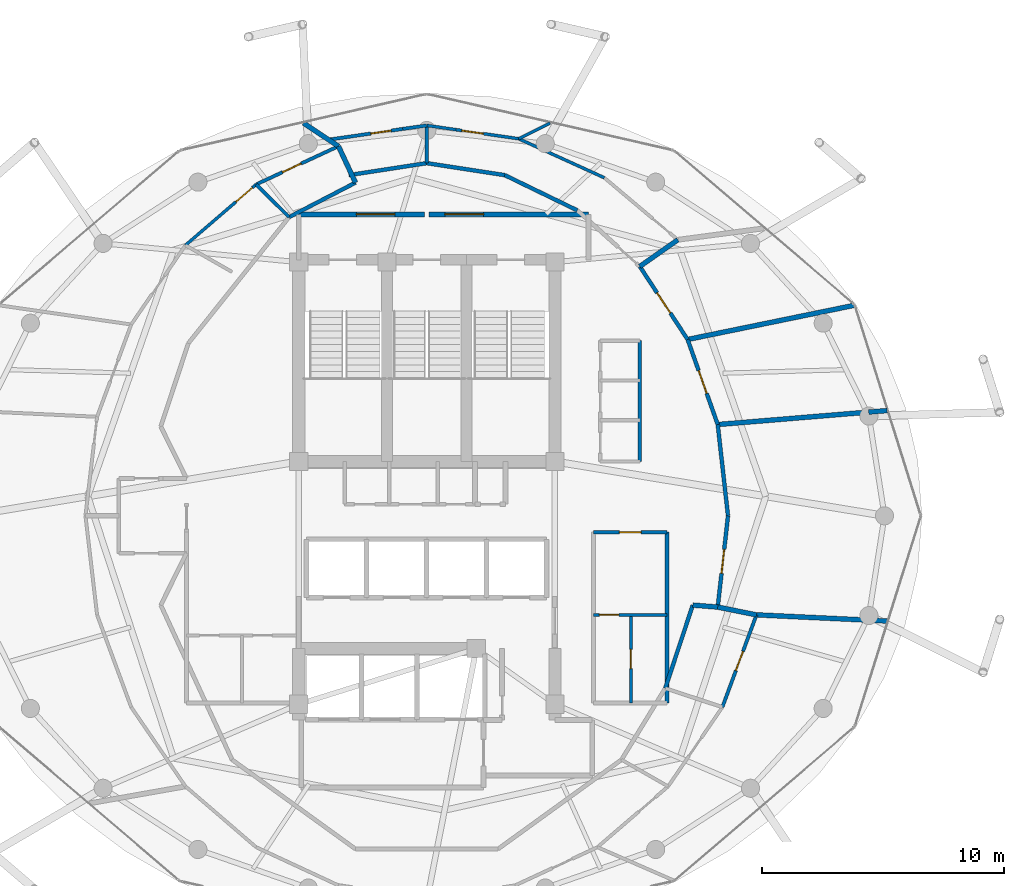
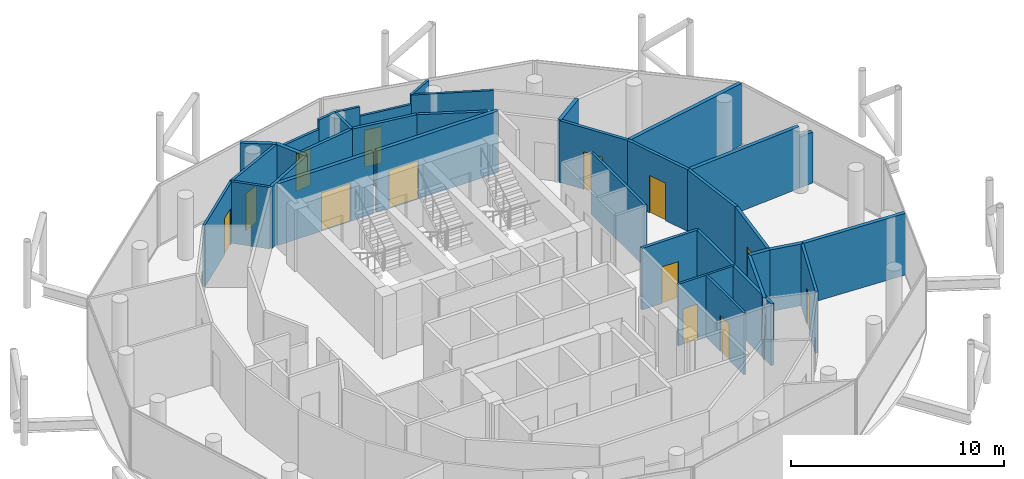
# One storey, part 22 of 24: 36 walls, 13 doors, 13 openings.
"""IFC4 building model written with IfcOpenShell, lengths in metres."""

from ifc_helpers import new_model, si_unit, direction, frame, frame_2d, origin, place, context, subcontext, project, spatial, rectangle, extrude, material, layer, layer_set, type_object, element, fill, save


model = new_model("IFC4")

# Units and contexts
model_context = context("Model", 3, precision=1e-05, world=origin(), true_north=direction((0.0, 1.0)))
body_context = subcontext(model_context, "Body", "Model", "MODEL_VIEW")
ifc_project = project(units=[si_unit("LENGTHUNIT", "METRE"), si_unit("AREAUNIT", "SQUARE_METRE"), si_unit("VOLUMEUNIT", "CUBIC_METRE"), si_unit("PLANEANGLEUNIT", "RADIAN"), si_unit("MASSUNIT", "GRAM", prefix="KILO")], contexts=[model_context])

# Site, building, storey
site_placement = place(None, origin())
site = spatial("IfcSite", under=ifc_project, at=site_placement, CompositionType="ELEMENT")
building_placement = place(site_placement, origin())
building = spatial("IfcBuilding", under=site, at=building_placement, Name="Nuhasar Tower", CompositionType="ELEMENT")
storey_placement = place(building_placement, frame((0.0, 0.0, 259.39990234375)))
storey = spatial("IfcBuildingStorey", under=building, at=storey_placement, Name="L64", CompositionType="ELEMENT", Elevation=259.39990234375)

# Wall
ifc_material_1 = material(Name="Gypsum Board", Category="gypsum")
ifc_layer_1 = layer(ifc_material_1, 0.159912109375)
ifc_layer_set_1 = layer_set([ifc_layer_1], Name="Gypsum Board")
wall_type_1 = type_object("IfcWallType", Name="WL-CORR-160", PredefinedType="PARTITIONING", material=ifc_layer_set_1)
wall_1_placement = place(storey_placement, frame((48.949951171875, 19.050048828125, 0.0), z_axis=(0.0, 0.0, 1.0), x_axis=(0.0, 1.0, 0.0)))
element("IfcWall", 1, at=wall_1_placement, inside=storey, type_object=wall_type_1, Name="L64 Interior Partition RECL-B2-E", PredefinedType="PARTITIONING", context=body_context, shape_type="SweptSolid", body=[
    extrude(rectangle(XDim=7.070068359375, YDim=0.159912109375, at=frame_2d((3.53515625, 0.0))), origin(), (0.0, 0.0, 1.0), 3.5400390625),
])

# Wall, opening, door
wall_2_placement = place(storey_placement, frame((48.949951171875, 26.1201171875, 0.0), z_axis=(0.0, 0.0, 1.0), x_axis=(-1.0, 0.0, 0.0)))
wall_2 = element("IfcWall", 2, at=wall_2_placement, inside=storey, type_object=wall_type_1, Name="L64 Interior Partition RECL-B2-N", PredefinedType="PARTITIONING", context=body_context, shape_type="SweptSolid", body=[
    extrude(rectangle(XDim=3.050048828125, YDim=0.159912109375, at=frame_2d((1.52490234375, 0.0))), origin(), (0.0, 0.0, 1.0), 3.5400390625),
])
opening_1_placement = place(wall_2_placement, frame((1.074951171875, 0.0, 0.0)))
opening_1 = element("IfcOpeningElement", 3, at=opening_1_placement, cuts=wall_2, Name="Opening DR-01", PredefinedType="OPENING", context=body_context, shape_type="SweptSolid", body=[
    extrude(rectangle(XDim=0.89990234375, YDim=2.10009765625, at=frame_2d((0.449951171875, 1.050048828125))), frame((0.0, 0.08984375, 0.0), z_axis=(0.0, -1.0, 0.0), x_axis=(1.0, 0.0, 0.0)), (0.0, 0.0, 1.0), 0.179931640625),
])
ifc_material_2 = material(Name="Timber Oak", Category="wood")
door_type_1 = type_object("IfcDoorType", Name="DR-ROOM-900", OperationType="NOTDEFINED", PredefinedType="DOOR", material=ifc_material_2)
door_1_placement = place(opening_1_placement, origin())
door_1 = element("IfcDoor", 4, at=door_1_placement, inside=storey, type_object=door_type_1, Name="L64 Telemetry Closet Door", OperationType="SINGLE_SWING_LEFT", OverallHeight=2.10009765625, OverallWidth=0.89990234375, PredefinedType="DOOR", context=body_context, shape_type="SweptSolid", body=[
    extrude(rectangle(XDim=0.89990234375, YDim=2.10009765625, at=frame_2d((0.449951171875, 1.050048828125))), frame((0.0, 0.02490234375, 0.0), z_axis=(0.0, -1.0, 0.0), x_axis=(1.0, 0.0, 0.0)), (0.0, 0.0, 1.0), 0.050048828125),
])
fill(opening_1, door_1)

wall_3_placement = place(storey_placement, frame((51.469970703125, 26.800048828125, 0.0), z_axis=(0.0, 0.0, 1.0), x_axis=(-0.111770206893, -0.993734079546, 0.0)))
wall_3 = element("IfcWall", 5, at=wall_3_placement, inside=storey, type_object=wall_type_1, Name="L64 Interior Partition CORR-46", PredefinedType="PARTITIONING", context=body_context, shape_type="SweptSolid", body=[
    extrude(rectangle(XDim=3.802978515625, YDim=0.159912109375, at=frame_2d((1.9013671875, 0.0))), origin(), (0.0, 0.0, 1.0), 3.5400390625),
])
opening_2_placement = place(wall_3_placement, frame((1.40087890625, 0.0, 0.0)))
opening_2 = element("IfcOpeningElement", 6, at=opening_2_placement, cuts=wall_3, Name="Opening DU-02", PredefinedType="OPENING", context=body_context, shape_type="SweptSolid", body=[
    extrude(rectangle(XDim=1.0, YDim=2.14990234375, at=frame_2d((0.5, 1.074951171875))), frame((0.0, 0.08984375, 0.0), z_axis=(0.0, -1.0, 0.0), x_axis=(1.0, 0.0, 0.0)), (0.0, 0.0, 1.0), 0.179931640625),
])
door_type_2 = type_object("IfcDoorType", Name="DR-FLAT-FD60-1000", OperationType="NOTDEFINED", PredefinedType="DOOR", material=ifc_material_2)
door_2_placement = place(opening_2_placement, origin())
door_2 = element("IfcDoor", 7, at=door_2_placement, inside=storey, type_object=door_type_2, Name="L64 Crown Art Gallery Boutique 1 Entrance Door", OperationType="SINGLE_SWING_RIGHT", OverallHeight=2.14990234375, OverallWidth=1.0, PredefinedType="DOOR", context=body_context, shape_type="SweptSolid", body=[
    extrude(rectangle(XDim=1.0, YDim=2.14990234375, at=frame_2d((0.5, 1.074951171875))), frame((0.0, 0.02490234375, 0.0), z_axis=(0.0, -1.0, 0.0), x_axis=(1.0, 0.0, 0.0)), (0.0, 0.0, 1.0), 0.050048828125),
])
fill(opening_2, door_2)

# Wall
wall_4_placement = place(storey_placement, frame((51.469970703125, 26.800048828125, 0.0), z_axis=(0.0, 0.0, 1.0), x_axis=(-0.111770206893, 0.993734079546, 0.0)))
element("IfcWall", 8, at=wall_4_placement, inside=storey, type_object=wall_type_1, Name="L64 Interior Partition CORR-00", PredefinedType="PARTITIONING", context=body_context, shape_type="SweptSolid", body=[
    extrude(rectangle(XDim=3.802978515625, YDim=0.159912109375, at=frame_2d((1.9013671875, 0.0))), origin(), (0.0, 0.0, 1.0), 3.5400390625),
])

# Wall, opening, door
wall_5_placement = place(storey_placement, frame((49.799072265625, 34.10009765625, 0.0), z_axis=(0.0, 0.0, 1.0), x_axis=(0.333568819216, -0.942725751662, 0.0)))
wall_5 = element("IfcWall", 9, at=wall_5_placement, inside=storey, type_object=wall_type_1, Name="L64 Interior Partition CORR-02", PredefinedType="PARTITIONING", context=body_context, shape_type="SweptSolid", body=[
    extrude(rectangle(XDim=3.73486328125, YDim=0.159912109375, at=frame_2d((1.867431640625, 0.0))), origin(), (0.0, 0.0, 1.0), 3.5400390625),
])
opening_3_placement = place(wall_5_placement, frame((1.366943359375, 0.0, 0.0)))
opening_3 = element("IfcOpeningElement", 10, at=opening_3_placement, cuts=wall_5, Name="Opening DU-02", PredefinedType="OPENING", context=body_context, shape_type="SweptSolid", body=[
    extrude(rectangle(XDim=1.0, YDim=2.14990234375, at=frame_2d((0.5, 1.074951171875))), frame((0.0, 0.08984375, 0.0), z_axis=(0.0, -1.0, 0.0), x_axis=(1.0, 0.0, 0.0)), (0.0, 0.0, 1.0), 0.179931640625),
])
door_3_placement = place(opening_3_placement, origin())
door_3 = element("IfcDoor", 11, at=door_3_placement, inside=storey, type_object=door_type_2, Name="L64 Collector Wine Vault Store Entrance Door", OperationType="SINGLE_SWING_RIGHT", OverallHeight=2.14990234375, OverallWidth=1.0, PredefinedType="DOOR", context=body_context, shape_type="SweptSolid", body=[
    extrude(rectangle(XDim=1.0, YDim=2.14990234375, at=frame_2d((0.5, 1.074951171875))), frame((0.0, 0.02490234375, 0.0), z_axis=(0.0, -1.0, 0.0), x_axis=(1.0, 0.0, 0.0)), (0.0, 0.0, 1.0), 0.050048828125),
])
fill(opening_3, door_3)

wall_6_placement = place(storey_placement, frame((47.818115234375, 37.1240234375, 0.0), z_axis=(0.0, 0.0, 1.0), x_axis=(0.547980633713, -0.836491019124, 0.0)))
wall_6 = element("IfcWall", 12, at=wall_6_placement, inside=storey, type_object=wall_type_1, Name="L64 Interior Partition CORR-04", PredefinedType="PARTITIONING", context=body_context, shape_type="SweptSolid", body=[
    extrude(rectangle(XDim=3.614990234375, YDim=0.159912109375, at=frame_2d((1.8076171875, 0.0))), origin(), (0.0, 0.0, 1.0), 3.5400390625),
])
opening_4_placement = place(wall_6_placement, frame((1.30810546875, 0.0, 0.0)))
opening_4 = element("IfcOpeningElement", 13, at=opening_4_placement, cuts=wall_6, Name="Opening DU-02", PredefinedType="OPENING", context=body_context, shape_type="SweptSolid", body=[
    extrude(rectangle(XDim=1.0, YDim=2.14990234375, at=frame_2d((0.5, 1.074951171875))), frame((0.0, 0.08984375, 0.0), z_axis=(0.0, -1.0, 0.0), x_axis=(1.0, 0.0, 0.0)), (0.0, 0.0, 1.0), 0.179931640625),
])
door_4_placement = place(opening_4_placement, origin())
door_4 = element("IfcDoor", 14, at=door_4_placement, inside=storey, type_object=door_type_2, Name="L64 Crown Sculpture Showroom 2 Entrance Door", OperationType="SINGLE_SWING_LEFT", OverallHeight=2.14990234375, OverallWidth=1.0, PredefinedType="DOOR", context=body_context, shape_type="SweptSolid", body=[
    extrude(rectangle(XDim=1.0, YDim=2.14990234375, at=frame_2d((0.5, 1.074951171875))), frame((0.0, 0.02490234375, 0.0), z_axis=(0.0, -1.0, 0.0), x_axis=(1.0, 0.0, 0.0)), (0.0, 0.0, 1.0), 0.050048828125),
])
fill(opening_4, door_4)

# Walls
wall_7_placement = place(storey_placement, frame((45.235107421875, 39.444091796875, 0.0), z_axis=(0.0, 0.0, 1.0), x_axis=(-0.899751550897, 0.436402505329, 0.0)))
element("IfcWall", 15, at=wall_7_placement, inside=storey, type_object=wall_type_1, Name="L64 Interior Partition CORR-08", PredefinedType="PARTITIONING", context=body_context, shape_type="SweptSolid", body=[
    extrude(rectangle(XDim=3.34326171875, YDim=0.159912109375, at=frame_2d((1.671630859375, 0.0))), origin(), (0.0, 0.0, 1.0), 3.5400390625),
])
for number, where, z_axis, x_axis, name in (
    (16, (42.22705078125, 40.903076171875, 0.0), (0.0, 0.0, 1.0), (-0.988355267662, 0.152163940815, 0.0), "L64 Interior Partition CORR-10"),
    (17, (39.0, 41.39990234375, 0.0), (0.0, 0.0, 1.0), (-0.988355267662, -0.152163940815, 0.0), "L64 Interior Partition CORR-12"),
):
    element("IfcWall", number, at=place(storey_placement, frame(where, z_axis=z_axis, x_axis=x_axis)), inside=storey, type_object=wall_type_1, Name=name, PredefinedType="PARTITIONING", context=body_context, shape_type="SweptSolid", body=[
        extrude(rectangle(XDim=3.26513671875, YDim=0.159912109375, at=frame_2d((1.632568359375, 0.0))), origin(), (0.0, 0.0, 1.0), 3.5400390625),
    ])
wall_8_placement = place(storey_placement, frame((36.049072265625, 40.593017578125, 0.0), z_axis=(0.0, 0.0, 1.0), x_axis=(-0.887674575788, -0.460471331898, 0.0)))
element("IfcWall", 18, at=wall_8_placement, inside=storey, type_object=wall_type_1, Name="L64 Interior Partition UWEST-CORE-N1-14", PredefinedType="PARTITIONING", context=body_context, shape_type="SweptSolid", body=[
    extrude(rectangle(XDim=3.096923828125, YDim=0.159912109375, at=frame_2d((1.54833984375, 0.0))), origin(), (0.0, 0.0, 1.0), 3.5400390625),
])
wall_9_placement = place(storey_placement, frame((48.873046875, 19.659912109375, 0.0), z_axis=(0.0, 0.0, 1.0), x_axis=(0.313965508334, 0.949434389295, 0.0)))
element("IfcWall", 19, at=wall_9_placement, inside=storey, type_object=wall_type_1, Name="L64 Interior Partition UWEST-CORE-S2-44", PredefinedType="PARTITIONING", context=body_context, shape_type="SweptSolid", body=[
    extrude(rectangle(XDim=3.62744140625, YDim=0.159912109375, at=frame_2d((1.813720703125, 0.0))), origin(), (0.0, 0.0, 1.0), 3.5400390625),
])

# Wall, opening, door
ifc_material_3 = material(Name="Concrete C45/55", Category="concrete")
ifc_layer_2 = layer(ifc_material_3, 0.199951171875)
ifc_layer_set_2 = layer_set([ifc_layer_2], Name="Concrete C45/55")
wall_type_2 = type_object("IfcWallType", Name="WL-LOBBY-200", PredefinedType="SOLIDWALL", material=ifc_layer_set_2)
wall_10_placement = place(storey_placement, frame((38.89990234375, 39.280029296875, 0.0), z_axis=(0.0, 0.0, 1.0), x_axis=(-1.0, 0.0, 0.0)))
wall_10 = element("IfcWall", 20, at=wall_10_placement, inside=storey, type_object=wall_type_2, Name="L64 Interior Partition NSL-N1", PredefinedType="SOLIDWALL", context=body_context, shape_type="SweptSolid", body=[
    extrude(rectangle(XDim=5.199951171875, YDim=0.199951171875, at=frame_2d((2.60009765625, 0.0))), origin(), (0.0, 0.0, 1.0), 3.5400390625),
])
opening_5_placement = place(wall_10_placement, frame((1.216064453125, 0.0, 0.0)))
opening_5 = element("IfcOpeningElement", 21, at=opening_5_placement, cuts=wall_10, Name="Opening DC-01", PredefinedType="OPENING", context=body_context, shape_type="SweptSolid", body=[
    extrude(rectangle(XDim=1.60009765625, YDim=2.199951171875, at=frame_2d((0.800048828125, 1.10009765625))), frame((0.0, 0.10986328125, 0.0), z_axis=(0.0, -1.0, 0.0), x_axis=(1.0, 0.0, 0.0)), (0.0, 0.0, 1.0), 0.219970703125),
])
ifc_material_4 = material(Name="Steel S355", Category="steel")
door_type_3 = type_object("IfcDoorType", Name="DR-CORR-FD60-1600", OperationType="DOUBLE_DOOR_SINGLE_SWING", PredefinedType="DOOR", material=ifc_material_4)
door_5_placement = place(opening_5_placement, origin())
door_5 = element("IfcDoor", 22, at=door_5_placement, inside=storey, type_object=door_type_3, Name="L64 North Stair Lobby West Door", OperationType="DOUBLE_DOOR_SINGLE_SWING", OverallHeight=2.199951171875, OverallWidth=1.60009765625, PredefinedType="DOOR", context=body_context, shape_type="SweptSolid", body=[
    extrude(rectangle(XDim=1.60009765625, YDim=2.199951171875, at=frame_2d((0.800048828125, 1.10009765625))), frame((0.0, 0.02490234375, 0.0), z_axis=(0.0, -1.0, 0.0), x_axis=(1.0, 0.0, 0.0)), (0.0, 0.0, 1.0), 0.050048828125),
])
fill(opening_5, door_5)

wall_11_placement = place(storey_placement, frame((45.699951171875, 39.280029296875, 0.0), z_axis=(0.0, 0.0, 1.0), x_axis=(-1.0, 0.0, 0.0)))
wall_11 = element("IfcWall", 23, at=wall_11_placement, inside=storey, type_object=wall_type_2, Name="L64 Interior Partition NSL-N2", PredefinedType="SOLIDWALL", context=body_context, shape_type="SweptSolid", body=[
    extrude(rectangle(XDim=6.599853515625, YDim=0.199951171875, at=frame_2d((3.2998046875, 0.0))), origin(), (0.0, 0.0, 1.0), 3.5400390625),
])
opening_6_placement = place(wall_11_placement, frame((4.35009765625, 0.0, 0.0)))
opening_6 = element("IfcOpeningElement", 24, at=opening_6_placement, cuts=wall_11, Name="Opening DC-01", PredefinedType="OPENING", context=body_context, shape_type="SweptSolid", body=[
    extrude(rectangle(XDim=1.60009765625, YDim=2.199951171875, at=frame_2d((0.800048828125, 1.10009765625))), frame((0.0, 0.10986328125, 0.0), z_axis=(0.0, -1.0, 0.0), x_axis=(1.0, 0.0, 0.0)), (0.0, 0.0, 1.0), 0.219970703125),
])
door_6_placement = place(opening_6_placement, origin())
door_6 = element("IfcDoor", 25, at=door_6_placement, inside=storey, type_object=door_type_3, Name="L64 North Stair Lobby East Door", OperationType="DOUBLE_DOOR_SINGLE_SWING", OverallHeight=2.199951171875, OverallWidth=1.60009765625, PredefinedType="DOOR", context=body_context, shape_type="SweptSolid", body=[
    extrude(rectangle(XDim=1.60009765625, YDim=2.199951171875, at=frame_2d((0.800048828125, 1.10009765625))), frame((0.0, 0.02490234375, 0.0), z_axis=(0.0, -1.0, 0.0), x_axis=(1.0, 0.0, 0.0)), (0.0, 0.0, 1.0), 0.050048828125),
])
fill(opening_6, door_6)

ifc_layer_3 = layer(ifc_material_1, 0.125)
ifc_layer_set_3 = layer_set([ifc_layer_3], Name="Gypsum Board")
wall_type_3 = type_object("IfcWallType", Name="WL-PART-125", PredefinedType="PARTITIONING", material=ifc_layer_set_3)
wall_12_placement = place(storey_placement, frame((47.449951171875, 22.699951171875, 0.0), z_axis=(0.0, 0.0, 1.0), x_axis=(0.0, -1.0, 0.0)))
wall_12 = element("IfcWall", 26, at=wall_12_placement, inside=storey, type_object=wall_type_3, Name="L64 Interior Partition RECL-B2-V", PredefinedType="PARTITIONING", context=body_context, shape_type="SweptSolid", body=[
    extrude(rectangle(XDim=3.64990234375, YDim=0.125, at=frame_2d((1.824951171875, 0.0))), origin(), (0.0, 0.0, 1.0), 3.5400390625),
])
opening_7_placement = place(wall_12_placement, frame((1.425048828125, 0.0, 0.0)))
opening_7 = element("IfcOpeningElement", 27, at=opening_7_placement, cuts=wall_12, Name="Opening DM-01", PredefinedType="OPENING", context=body_context, shape_type="SweptSolid", body=[
    extrude(rectangle(XDim=0.800048828125, YDim=2.050048828125, at=frame_2d((0.39990234375, 1.02490234375))), frame((0.0, 0.072509765625, 0.0), z_axis=(0.0, -1.0, 0.0), x_axis=(1.0, 0.0, 0.0)), (0.0, 0.0, 1.0), 0.14501953125),
])
door_type_4 = type_object("IfcDoorType", Name="DR-RISER-FD60-800", OperationType="NOTDEFINED", PredefinedType="DOOR", material=ifc_material_4)
door_7_placement = place(opening_7_placement, origin())
door_7 = element("IfcDoor", 28, at=door_7_placement, inside=storey, type_object=door_type_4, Name="L64 Archive Closet Door", OperationType="SINGLE_SWING_LEFT", OverallHeight=2.050048828125, OverallWidth=0.800048828125, PredefinedType="DOOR", context=body_context, shape_type="SweptSolid", body=[
    extrude(rectangle(XDim=0.800048828125, YDim=2.050048828125, at=frame_2d((0.39990234375, 1.02490234375))), frame((0.0, 0.02490234375, 0.0), z_axis=(0.0, -1.0, 0.0), x_axis=(1.0, 0.0, 0.0)), (0.0, 0.0, 1.0), 0.050048828125),
])
fill(opening_7, door_7)

wall_13_placement = place(storey_placement, frame((48.949951171875, 22.699951171875, 0.0), z_axis=(0.0, 0.0, 1.0), x_axis=(-1.0, 0.0, 0.0)))
wall_13 = element("IfcWall", 29, at=wall_13_placement, inside=storey, type_object=wall_type_3, Name="L64 Interior Partition RECL-B2-M", PredefinedType="PARTITIONING", context=body_context, shape_type="SweptSolid", body=[
    extrude(rectangle(XDim=3.050048828125, YDim=0.125, at=frame_2d((1.52490234375, 0.0))), origin(), (0.0, 0.0, 1.0), 3.5400390625),
])
opening_8_placement = place(wall_13_placement, frame((2.0, 0.0, 0.0)))
opening_8 = element("IfcOpeningElement", 30, at=opening_8_placement, cuts=wall_13, Name="Opening DM-01", PredefinedType="OPENING", context=body_context, shape_type="SweptSolid", body=[
    extrude(rectangle(XDim=0.800048828125, YDim=2.050048828125, at=frame_2d((0.39990234375, 1.02490234375))), frame((0.0, 0.072509765625, 0.0), z_axis=(0.0, -1.0, 0.0), x_axis=(1.0, 0.0, 0.0)), (0.0, 0.0, 1.0), 0.14501953125),
])
door_8_placement = place(opening_8_placement, origin())
door_8 = element("IfcDoor", 31, at=door_8_placement, inside=storey, type_object=door_type_4, Name="L64 Trunk Store Door", OperationType="SINGLE_SWING_RIGHT", OverallHeight=2.050048828125, OverallWidth=0.800048828125, PredefinedType="DOOR", context=body_context, shape_type="SweptSolid", body=[
    extrude(rectangle(XDim=0.800048828125, YDim=2.050048828125, at=frame_2d((0.39990234375, 1.02490234375))), frame((0.0, 0.02490234375, 0.0), z_axis=(0.0, -1.0, 0.0), x_axis=(1.0, 0.0, 0.0)), (0.0, 0.0, 1.0), 0.050048828125),
])
fill(opening_8, door_8)

# Walls
wall_14_placement = place(storey_placement, frame((46.35009765625, 40.794921875, 0.0), z_axis=(0.0, 0.0, 1.0), x_axis=(-0.910117326054, 0.414350639938, 0.0)))
element("IfcWall", 32, at=wall_14_placement, inside=storey, type_object=wall_type_3, Name="L64 Interior Partition UMID-04-A-08", PredefinedType="PARTITIONING", context=body_context, shape_type="SweptSolid", body=[
    extrude(rectangle(XDim=3.895263671875, YDim=0.125, at=frame_2d((1.94775390625, 0.0))), origin(), (0.0, 0.0, 1.0), 3.5400390625),
])
wall_15_placement = place(storey_placement, frame((39.0, 42.9599609375, 0.0), z_axis=(0.0, 0.0, 1.0), x_axis=(0.989701809114, -0.143144434177, 0.0)))
element("IfcWall", 33, at=wall_15_placement, inside=storey, type_object=wall_type_3, Name="L64 Interior Partition UMID-04-A-10", PredefinedType="PARTITIONING", context=body_context, shape_type="SweptSolid", body=[
    extrude(rectangle(XDim=1.229736328125, YDim=0.125, at=frame_2d((0.61474609375, 0.0))), origin(), (0.0, 0.0, 1.0), 3.5400390625),
])

# Wall, opening, door
wall_16_placement = place(storey_placement, frame((40.217041015625, 42.783935546875, 0.0), z_axis=(0.0, 0.0, 1.0), x_axis=(0.989663671869, -0.143407867924, 0.0)))
wall_16 = element("IfcWall", 34, at=wall_16_placement, inside=storey, type_object=wall_type_3, Name="L64 Interior Partition UMID-04-A-10", PredefinedType="PARTITIONING", context=body_context, shape_type="SweptSolid", body=[
    extrude(rectangle(XDim=2.614990234375, YDim=0.125, at=frame_2d((1.3076171875, 0.0))), origin(), (0.0, 0.0, 1.0), 3.0),
])
opening_9_placement = place(wall_16_placement, frame((0.241943359375, 0.0, 0.0)))
opening_9 = element("IfcOpeningElement", 35, at=opening_9_placement, cuts=wall_16, Name="Opening DR-01", PredefinedType="OPENING", context=body_context, shape_type="SweptSolid", body=[
    extrude(rectangle(XDim=0.89990234375, YDim=2.10009765625, at=frame_2d((0.449951171875, 1.050048828125))), frame((0.0, 0.072509765625, 0.0), z_axis=(0.0, -1.0, 0.0), x_axis=(1.0, 0.0, 0.0)), (0.0, 0.0, 1.0), 0.14501953125),
])
door_9_placement = place(opening_9_placement, origin())
door_9 = element("IfcDoor", 36, at=door_9_placement, inside=storey, type_object=door_type_1, Name="L64 U04 Bedroom Door", OperationType="SINGLE_SWING_LEFT", OverallHeight=2.10009765625, OverallWidth=0.89990234375, PredefinedType="DOOR", context=body_context, shape_type="SweptSolid", body=[
    extrude(rectangle(XDim=0.89990234375, YDim=2.10009765625, at=frame_2d((0.449951171875, 1.050048828125))), frame((0.0, 0.02490234375, 0.0), z_axis=(0.0, -1.0, 0.0), x_axis=(1.0, 0.0, 0.0)), (0.0, 0.0, 1.0), 0.050048828125),
])
fill(opening_9, door_9)

# Wall
wall_17_placement = place(storey_placement, frame((42.804931640625, 42.408935546875, 0.0), z_axis=(0.0, 0.0, 1.0), x_axis=(0.894796289478, 0.446474635714, 0.0)))
element("IfcWall", 37, at=wall_17_placement, inside=storey, type_object=wall_type_3, Name="L64 Interior Partition UOUT-04-B1", PredefinedType="PARTITIONING", context=body_context, shape_type="SweptSolid", body=[
    extrude(rectangle(XDim=1.4541015625, YDim=0.125, at=frame_2d((0.72705078125, 0.0))), origin(), (0.0, 0.0, 1.0), 3.5400390625),
])

# Wall, opening, door
wall_18_placement = place(storey_placement, frame((29.009033203125, 38.0009765625, 0.0), z_axis=(0.0, 0.0, 1.0), x_axis=(0.758094504626, 0.652144709444, 0.0)))
wall_18 = element("IfcWall", 38, at=wall_18_placement, inside=storey, type_object=wall_type_3, Name="L64 Interior Partition USM-1-K-16", PredefinedType="PARTITIONING", context=body_context, shape_type="SweptSolid", body=[
    extrude(rectangle(XDim=3.859619140625, YDim=0.125, at=frame_2d((1.9296875, 0.0))), origin(), (0.0, 0.0, 1.0), 3.5400390625),
])
opening_10_placement = place(wall_18_placement, frame((2.760009765625, 0.0, 0.0)))
opening_10 = element("IfcOpeningElement", 39, at=opening_10_placement, cuts=wall_18, Name="Opening DR-01", PredefinedType="OPENING", context=body_context, shape_type="SweptSolid", body=[
    extrude(rectangle(XDim=0.89990234375, YDim=2.10009765625, at=frame_2d((0.449951171875, 1.050048828125))), frame((0.0, 0.072509765625, 0.0), z_axis=(0.0, -1.0, 0.0), x_axis=(1.0, 0.0, 0.0)), (0.0, 0.0, 1.0), 0.14501953125),
])
door_10_placement = place(opening_10_placement, origin())
door_10 = element("IfcDoor", 40, at=door_10_placement, inside=storey, type_object=door_type_1, Name="L64 North-West Sky Home Kitchen Door", OperationType="SINGLE_SWING_RIGHT", OverallHeight=2.10009765625, OverallWidth=0.89990234375, PredefinedType="DOOR", context=body_context, shape_type="SweptSolid", body=[
    extrude(rectangle(XDim=0.89990234375, YDim=2.10009765625, at=frame_2d((0.449951171875, 1.050048828125))), frame((0.0, 0.02490234375, 0.0), z_axis=(0.0, -1.0, 0.0), x_axis=(1.0, 0.0, 0.0)), (0.0, 0.0, 1.0), 0.050048828125),
])
fill(opening_10, door_10)

# Walls
ifc_material_5 = material(Name="Concrete C40/50 precast", Category="concrete")
ifc_layer_4 = layer(ifc_material_5, 0.199951171875)
ifc_layer_set_4 = layer_set([ifc_layer_4], Name="Concrete C40/50 precast")
wall_type_4 = type_object("IfcWallType", Name="WL-UNIT-200", PredefinedType="PARTITIONING", material=ifc_layer_set_4)
wall_19_placement = place(storey_placement, frame((36.049072265625, 40.593017578125, 0.0), z_axis=(0.0, 0.0, 1.0), x_axis=(-0.424242188274, 0.905548764942, 0.0)))
element("IfcWall", 41, at=wall_19_placement, inside=storey, type_object=wall_type_4, Name="L64 Interior Partition URAD-14-NW-S1", PredefinedType="PARTITIONING", context=body_context, shape_type="SweptSolid", body=[
    extrude(rectangle(XDim=1.664306640625, YDim=0.199951171875, at=frame_2d((0.83203125, 0.0))), origin(), (0.0, 0.0, 1.0), 3.5400390625),
])
wall_20_placement = place(storey_placement, frame((35.343017578125, 42.10009765625, 0.0), z_axis=(0.0, 0.0, 1.0), x_axis=(-0.834163281992, 0.551517559989, 0.0)))
element("IfcWall", 42, at=wall_20_placement, inside=storey, type_object=wall_type_4, Name="L64 Interior Partition URAD-14-NW-S2", PredefinedType="PARTITIONING", context=body_context, shape_type="SweptSolid", body=[
    extrude(rectangle(XDim=1.737060546875, YDim=0.199951171875, at=frame_2d((0.86865234375, 0.0))), origin(), (0.0, 0.0, 1.0), 3.5400390625),
])
wall_21_placement = place(storey_placement, frame((50.011962890625, 23.10400390625, 0.0), z_axis=(0.0, 0.0, 1.0), x_axis=(0.996786749309, -0.080101038706, 0.0)))
element("IfcWall", 43, at=wall_21_placement, inside=storey, type_object=wall_type_4, Name="L64 Interior Partition URAD-46-SW-S1", PredefinedType="PARTITIONING", context=body_context, shape_type="SweptSolid", body=[
    extrude(rectangle(XDim=1.036376953125, YDim=0.199951171875, at=frame_2d((0.51806640625, 0.0))), origin(), (0.0, 0.0, 1.0), 3.5400390625),
])
wall_22_placement = place(storey_placement, frame((51.044921875, 23.02099609375, 0.0), z_axis=(0.0, 0.0, 1.0), x_axis=(0.980551963868, -0.196259639648, 0.0)))
element("IfcWall", 44, at=wall_22_placement, inside=storey, type_object=wall_type_4, Name="L64 Interior Partition URAD-46-SW-S2", PredefinedType="PARTITIONING", context=body_context, shape_type="SweptSolid", body=[
    extrude(rectangle(XDim=1.6357421875, YDim=0.199951171875, at=frame_2d((0.81787109375, 0.0))), origin(), (0.0, 0.0, 1.0), 3.5400390625),
])
wall_23_placement = place(storey_placement, frame((52.64892578125, 22.699951171875, 0.0), z_axis=(0.0, 0.0, 1.0), x_axis=(0.998882680054, -0.047258771554, 0.0)))
element("IfcWall", 45, at=wall_23_placement, inside=storey, type_object=wall_type_4, Name="L64 Interior Partition URAD-46-SW-S3", PredefinedType="PARTITIONING", context=body_context, shape_type="SweptSolid", body=[
    extrude(rectangle(XDim=5.4140625, YDim=0.199951171875, at=frame_2d((2.70703125, 0.0))), origin(), (0.0, 0.0, 1.0), 3.5400390625),
])
wall_24_placement = place(storey_placement, frame((51.044921875, 30.5791015625, 0.0), z_axis=(0.0, 0.0, 1.0), x_axis=(0.996622662383, 0.082117408774, 0.0)))
element("IfcWall", 46, at=wall_24_placement, inside=storey, type_object=wall_type_4, Name="L64 Interior Partition URAD-02", PredefinedType="PARTITIONING", context=body_context, shape_type="SweptSolid", body=[
    extrude(rectangle(XDim=6.270263671875, YDim=0.199951171875, at=frame_2d((3.13525390625, 0.0))), origin(), (0.0, 0.0, 1.0), 3.5400390625),
])
wall_25_placement = place(storey_placement, frame((57.2939453125, 31.093994140625, 0.0), z_axis=(0.0, 0.0, 1.0), x_axis=(0.996609247306, 0.082280059458, 0.0)))
element("IfcWall", 47, at=wall_25_placement, inside=storey, type_object=wall_type_4, Name="L64 Interior Partition URAD-02", PredefinedType="PARTITIONING", context=body_context, shape_type="SweptSolid", body=[
    extrude(rectangle(XDim=0.765625, YDim=0.199951171875, at=frame_2d((0.3828125, 0.0))), origin(), (0.0, 0.0, 1.0), 2.925048828125),
])
wall_26_placement = place(storey_placement, frame((49.799072265625, 34.10009765625, 0.0), z_axis=(0.0, 0.0, 1.0), x_axis=(0.97961583885, 0.200880084314, 0.0)))
element("IfcWall", 48, at=wall_26_placement, inside=storey, type_object=wall_type_4, Name="L64 Interior Partition URAD-04", PredefinedType="PARTITIONING", context=body_context, shape_type="SweptSolid", body=[
    extrude(rectangle(XDim=7.033203125, YDim=0.199951171875, at=frame_2d((3.5166015625, 0.0))), origin(), (0.0, 0.0, 1.0), 3.5400390625),
])
wall_27_placement = place(storey_placement, frame((47.818115234375, 37.1240234375, 0.0), z_axis=(0.0, 0.0, 1.0), x_axis=(0.819261732585, 0.573419753341, 0.0)))
element("IfcWall", 49, at=wall_27_placement, inside=storey, type_object=wall_type_4, Name="L64 Interior Partition URAD-06-S1", PredefinedType="PARTITIONING", context=body_context, shape_type="SweptSolid", body=[
    extrude(rectangle(XDim=1.923583984375, YDim=0.199951171875, at=frame_2d((0.9619140625, 0.0))), origin(), (0.0, 0.0, 1.0), 3.5400390625),
])
ifc_layer_5 = layer(ifc_material_5, 0.139892578125)
ifc_layer_set_5 = layer_set([ifc_layer_5], Name="Concrete C40/50 precast")
wall_type_5 = type_object("IfcWallType", Name="WL-WET-140", PredefinedType="PARTITIONING", material=ifc_layer_set_5)
wall_28_placement = place(storey_placement, frame((47.820068359375, 29.050048828125, 0.0), z_axis=(0.0, 0.0, 1.0), x_axis=(0.0, 1.0, 0.0)))
element("IfcWall", 50, at=wall_28_placement, inside=storey, type_object=wall_type_5, Name="L64 Interior Partition K1-NE-E", PredefinedType="PARTITIONING", context=body_context, shape_type="SweptSolid", body=[
    extrude(rectangle(XDim=5.0, YDim=0.139892578125, at=frame_2d((2.5, 0.0))), origin(), (0.0, 0.0, 1.0), 3.5400390625),
])

# Wall, opening, door
wall_29_placement = place(storey_placement, frame((34.93310546875, 42.37109375, 0.0), z_axis=(0.0, 0.0, 1.0), x_axis=(0.98967063222, 0.143359826038, 0.0)))
wall_29 = element("IfcWall", 51, at=wall_29_placement, inside=storey, type_object=wall_type_5, Name="L64 Interior Partition UMID-04-B-12", PredefinedType="PARTITIONING", context=body_context, shape_type="SweptSolid", body=[
    extrude(rectangle(XDim=3.102783203125, YDim=0.139892578125, at=frame_2d((1.55126953125, 0.0))), origin(), (0.0, 0.0, 1.0), 3.0),
])
opening_11_placement = place(wall_29_placement, frame((1.761962890625, 0.0, 0.0)))
opening_11 = element("IfcOpeningElement", 52, at=opening_11_placement, cuts=wall_29, Name="Opening DB-01", PredefinedType="OPENING", context=body_context, shape_type="SweptSolid", body=[
    extrude(rectangle(XDim=0.85009765625, YDim=2.10009765625, at=frame_2d((0.425048828125, 1.050048828125))), frame((0.0, 0.080078125, 0.0), z_axis=(0.0, -1.0, 0.0), x_axis=(1.0, 0.0, 0.0)), (0.0, 0.0, 1.0), 0.159912109375),
])
door_type_5 = type_object("IfcDoorType", Name="DR-BATH-850", OperationType="NOTDEFINED", PredefinedType="DOOR", material=ifc_material_2)
door_11_placement = place(opening_11_placement, origin())
door_11 = element("IfcDoor", 53, at=door_11_placement, inside=storey, type_object=door_type_5, Name="L64 U04 Bathroom Door", OperationType="SINGLE_SWING_RIGHT", OverallHeight=2.10009765625, OverallWidth=0.85009765625, PredefinedType="DOOR", context=body_context, shape_type="SweptSolid", body=[
    extrude(rectangle(XDim=0.85009765625, YDim=2.10009765625, at=frame_2d((0.425048828125, 1.050048828125))), frame((0.0, 0.02490234375, 0.0), z_axis=(0.0, -1.0, 0.0), x_axis=(1.0, 0.0, 0.0)), (0.0, 0.0, 1.0), 0.050048828125),
])
fill(opening_11, door_11)

# Walls
wall_30_placement = place(storey_placement, frame((38.00390625, 42.81591796875, 0.0), z_axis=(0.0, 0.0, 1.0), x_axis=(0.989705462513, 0.143119172275, 0.0)))
element("IfcWall", 54, at=wall_30_placement, inside=storey, type_object=wall_type_5, Name="L64 Interior Partition UMID-04-B-12", PredefinedType="PARTITIONING", context=body_context, shape_type="SweptSolid", body=[
    extrude(rectangle(XDim=1.00634765625, YDim=0.139892578125, at=frame_2d((0.503173828125, 0.0))), origin(), (0.0, 0.0, 1.0), 3.5400390625),
])
wall_31_placement = place(storey_placement, frame((39.0, 41.39990234375, 0.0), z_axis=(0.0, 0.0, 1.0), x_axis=(0.0, 1.0, 0.0)))
element("IfcWall", 55, at=wall_31_placement, inside=storey, type_object=wall_type_5, Name="L64 Interior Partition UIN-04-K", PredefinedType="PARTITIONING", context=body_context, shape_type="SweptSolid", body=[
    extrude(rectangle(XDim=1.56005859375, YDim=0.139892578125, at=frame_2d((0.780029296875, 0.0))), origin(), (0.0, 0.0, 1.0), 3.5400390625),
])
wall_32_placement = place(storey_placement, frame((33.300048828125, 39.1669921875, 0.0), z_axis=(0.0, 0.0, 1.0), x_axis=(-0.710720381731, 0.703474618584, 0.0)))
element("IfcWall", 56, at=wall_32_placement, inside=storey, type_object=wall_type_5, Name="L64 Interior Partition USI-1-BK", PredefinedType="PARTITIONING", context=body_context, shape_type="SweptSolid", body=[
    extrude(rectangle(XDim=1.920654296875, YDim=0.139892578125, at=frame_2d((0.96044921875, 0.0))), origin(), (0.0, 0.0, 1.0), 3.5400390625),
])

# Wall, opening, door
wall_33_placement = place(storey_placement, frame((31.93505859375, 40.51806640625, 0.0), z_axis=(0.0, 0.0, 1.0), x_axis=(0.907032898502, 0.421059759459, 0.0)))
wall_33 = element("IfcWall", 57, at=wall_33_placement, inside=storey, type_object=wall_type_5, Name="L64 Interior Partition USM-1-B-14", PredefinedType="PARTITIONING", context=body_context, shape_type="SweptSolid", body=[
    extrude(rectangle(XDim=3.75732421875, YDim=0.139892578125, at=frame_2d((1.878662109375, 0.0))), origin(), (0.0, 0.0, 1.0), 3.5400390625),
])
opening_12_placement = place(wall_33_placement, frame((1.202880859375, 0.0, 0.0)))
opening_12 = element("IfcOpeningElement", 58, at=opening_12_placement, cuts=wall_33, Name="Opening DB-01", PredefinedType="OPENING", context=body_context, shape_type="SweptSolid", body=[
    extrude(rectangle(XDim=0.85009765625, YDim=2.10009765625, at=frame_2d((0.425048828125, 1.050048828125))), frame((0.0, 0.080078125, 0.0), z_axis=(0.0, -1.0, 0.0), x_axis=(1.0, 0.0, 0.0)), (0.0, 0.0, 1.0), 0.159912109375),
])
door_12_placement = place(opening_12_placement, origin())
door_12 = element("IfcDoor", 59, at=door_12_placement, inside=storey, type_object=door_type_5, Name="L64 North-West Sky Home En-Suite Door", OperationType="SINGLE_SWING_LEFT", OverallHeight=2.10009765625, OverallWidth=0.85009765625, PredefinedType="DOOR", context=body_context, shape_type="SweptSolid", body=[
    extrude(rectangle(XDim=0.85009765625, YDim=2.10009765625, at=frame_2d((0.425048828125, 1.050048828125))), frame((0.0, 0.02490234375, 0.0), z_axis=(0.0, -1.0, 0.0), x_axis=(1.0, 0.0, 0.0)), (0.0, 0.0, 1.0), 0.050048828125),
])
fill(opening_12, door_12)

wall_34_placement = place(storey_placement, frame((52.64892578125, 22.699951171875, 0.0), z_axis=(0.0, 0.0, 1.0), x_axis=(-0.346671925992, -0.937986447519, 0.0)))
wall_34 = element("IfcWall", 60, at=wall_34_placement, inside=storey, type_object=wall_type_5, Name="L64 Interior Partition USM-2-B-44", PredefinedType="PARTITIONING", context=body_context, shape_type="SweptSolid", body=[
    extrude(rectangle(XDim=4.072509765625, YDim=0.139892578125, at=frame_2d((2.0361328125, 0.0))), origin(), (0.0, 0.0, 1.0), 3.5400390625),
])
opening_13_placement = place(wall_34_placement, frame((1.611083984375, 0.0, 0.0)))
opening_13 = element("IfcOpeningElement", 61, at=opening_13_placement, cuts=wall_34, Name="Opening DB-01", PredefinedType="OPENING", context=body_context, shape_type="SweptSolid", body=[
    extrude(rectangle(XDim=0.85009765625, YDim=2.10009765625, at=frame_2d((0.425048828125, 1.050048828125))), frame((0.0, 0.080078125, 0.0), z_axis=(0.0, -1.0, 0.0), x_axis=(1.0, 0.0, 0.0)), (0.0, 0.0, 1.0), 0.159912109375),
])
door_13_placement = place(opening_13_placement, origin())
door_13 = element("IfcDoor", 62, at=door_13_placement, inside=storey, type_object=door_type_5, Name="L64 South-West Sky Home En-Suite Door", OperationType="SINGLE_SWING_RIGHT", OverallHeight=2.10009765625, OverallWidth=0.85009765625, PredefinedType="DOOR", context=body_context, shape_type="SweptSolid", body=[
    extrude(rectangle(XDim=0.85009765625, YDim=2.10009765625, at=frame_2d((0.425048828125, 1.050048828125))), frame((0.0, 0.02490234375, 0.0), z_axis=(0.0, -1.0, 0.0), x_axis=(1.0, 0.0, 0.0)), (0.0, 0.0, 1.0), 0.050048828125),
])
fill(opening_13, door_13)

save(model, "model.ifc")
